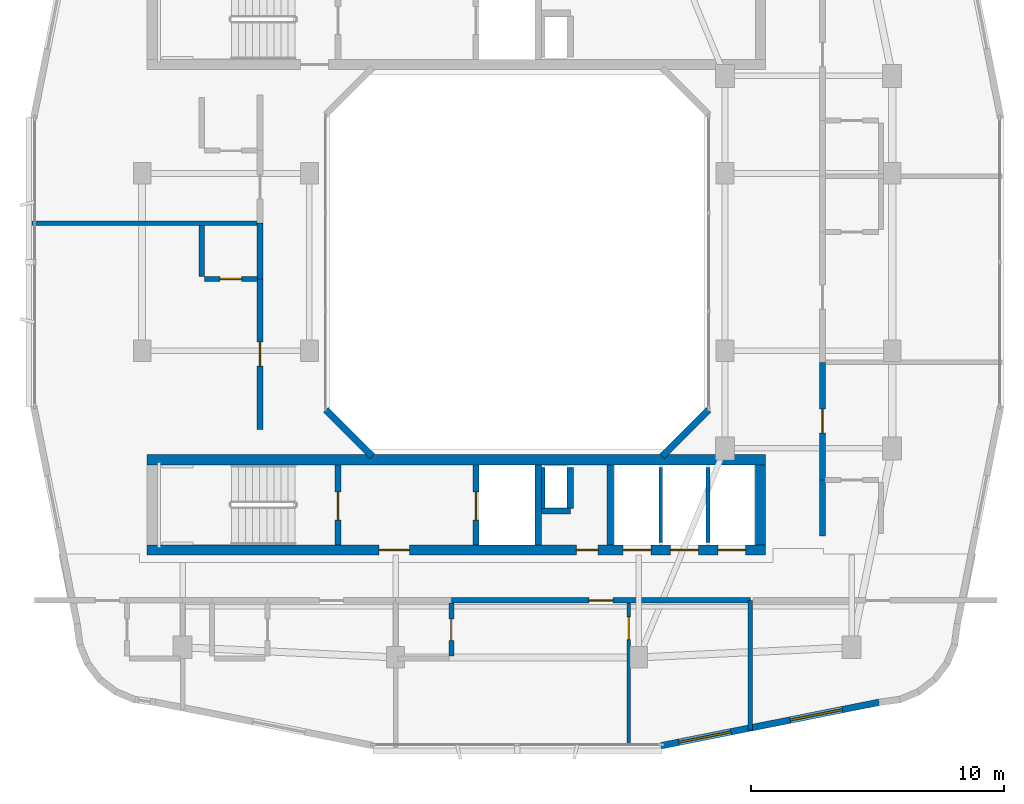
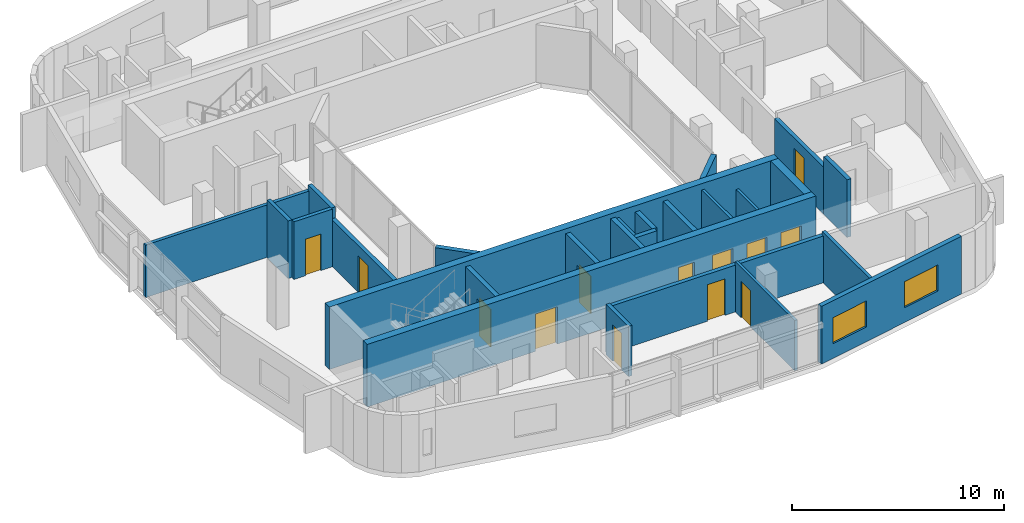
# One storey, part 7 of 14: 26 walls, 13 doors, 2 windows, 15 openings.
"""IFC4 building model written with IfcOpenShell, lengths in metres."""

from ifc_helpers import new_model, si_unit, derived_unit, direction, frame, frame_2d, origin, place, context, subcontext, project, spatial, rectangle, extrude, material, layer, layer_set, type_object, element, fill, save


model = new_model("IFC4")

# Units and contexts
model_context = context("Model", 3, precision=1e-05, world=origin(), true_north=direction((0.0, 1.0)))
body_context = subcontext(model_context, "Body", "Model", "MODEL_VIEW")
ifc_project = project(units=[si_unit("LENGTHUNIT", "METRE"), si_unit("AREAUNIT", "SQUARE_METRE"), si_unit("VOLUMEUNIT", "CUBIC_METRE"), si_unit("PLANEANGLEUNIT", "RADIAN"), si_unit("MASSUNIT", "GRAM", prefix="KILO"), derived_unit("THERMALTRANSMITTANCEUNIT", [(si_unit("POWERUNIT", "WATT"), 1), (si_unit("LENGTHUNIT", "METRE"), -2), (si_unit("THERMODYNAMICTEMPERATUREUNIT", "KELVIN"), -1)])], contexts=[model_context])

# Site, building, storey
site_placement = place(None, origin())
site = spatial("IfcSite", under=ifc_project, at=site_placement, CompositionType="ELEMENT")
building_placement = place(site_placement, origin())
building = spatial("IfcBuilding", under=site, at=building_placement, Name="Kivonza Crest Hotel", CompositionType="ELEMENT")
storey_placement = place(building_placement, frame((0.0, 0.0, 206.300048828125)))
storey = spatial("IfcBuildingStorey", under=building, at=storey_placement, Name="L56", CompositionType="ELEMENT", Elevation=206.300048828125)

# Walls
ifc_material_1 = material(Name="High-density acoustic masonry inter-tenancy wall", Category="masonry")
ifc_layer_1 = layer(ifc_material_1, 0.179931640625)
ifc_layer_set_1 = layer_set([ifc_layer_1], Name="High-density acoustic masonry inter-tenancy wall")
wall_type_1 = type_object("IfcWallType", Name="WL-ACOU-180", PredefinedType="SOLIDWALL", material=ifc_layer_set_1)
wall_1_placement = place(storey_placement, frame((30.199951171875, 6.5458984375, 0.0), z_axis=(0.0, 0.0, 1.0), x_axis=(0.0, 1.0, 0.0)))
element("IfcWall", 1, at=wall_1_placement, inside=storey, type_object=wall_type_1, Name="L56 interior partition WA-L56-T1S-DIV3", PredefinedType="SOLIDWALL", context=body_context, shape_type="SweptSolid", body=[
    extrude(rectangle(XDim=5.10400390625, YDim=0.179931640625, at=frame_2d((2.552001953125, 0.0))), origin(), (0.0, 0.0, 1.0), 2.89501953125),
])
wall_2_placement = place(storey_placement, frame((1.860107421875, 26.5400390625, 0.0), z_axis=(0.0, 0.0, 1.0), x_axis=(1.0, 0.0, 0.0)))
element("IfcWall", 2, at=wall_2_placement, inside=storey, type_object=wall_type_1, Name="L56 interior partition WA-L56-T1W-DIV1", PredefinedType="SOLIDWALL", context=body_context, shape_type="SweptSolid", body=[
    extrude(rectangle(XDim=8.989990234375, YDim=0.179931640625, at=frame_2d((4.4951171875, 0.0))), origin(), (0.0, 0.0, 1.0), 3.014892578125),
])

# Wall, opening, door
ifc_material_2 = material(Name="Autoclaved aerated concrete blockwork", Category="masonry")
ifc_layer_2 = layer(ifc_material_2, 0.219970703125)
ifc_layer_set_2 = layer_set([ifc_layer_2], Name="Autoclaved aerated concrete blockwork")
wall_type_2 = type_object("IfcWallType", Name="WL-ACOU-220", PredefinedType="SOLIDWALL", material=ifc_layer_set_2)
wall_3_placement = place(storey_placement, frame((18.39990234375, 11.64990234375, 0.0), z_axis=(0.0, 0.0, 1.0), x_axis=(1.0, 0.0, 0.0)))
wall_3 = element("IfcWall", 3, at=wall_3_placement, inside=storey, type_object=wall_type_2, Name="L56 interior partition WA-L56-S06-MCORR", PredefinedType="SOLIDWALL", context=body_context, shape_type="SweptSolid", body=[
    extrude(rectangle(XDim=11.800048828125, YDim=0.219970703125, at=frame_2d((5.89990234375, 0.0))), origin(), (0.0, 0.0, 1.0), 2.695068359375),
])
opening_1_placement = place(wall_3_placement, frame((5.425048828125, 0.0, 0.0)))
opening_1 = element("IfcOpeningElement", 4, at=opening_1_placement, cuts=wall_3, Name="Opening DU-60", PredefinedType="OPENING", context=body_context, shape_type="SweptSolid", body=[
    extrude(rectangle(XDim=0.949951171875, YDim=2.10009765625, at=frame_2d((0.47509765625, 1.050048828125))), frame((0.0, 0.1201171875, 0.0), z_axis=(0.0, -1.0, 0.0), x_axis=(1.0, 0.0, 0.0)), (0.0, 0.0, 1.0), 0.239990234375),
])
ifc_material_3 = material(Name="Hardwood timber oak", Category="wood")
door_type_1 = type_object("IfcDoorType", Name="DR-UNIT-950", OperationType="NOTDEFINED", PredefinedType="DOOR", material=ifc_material_3)
door_1_placement = place(opening_1_placement, frame((0.949951171875, 0.0, 0.0), z_axis=(0.0, 0.0, 1.0), x_axis=(-1.0, 0.0, 0.0)))
door_1 = element("IfcDoor", 5, at=door_1_placement, inside=storey, type_object=door_type_1, Name="L56 S06 guest unit entrance fire door", OperationType="SINGLE_SWING_RIGHT", OverallHeight=2.10009765625, OverallWidth=0.949951171875, PredefinedType="DOOR", context=body_context, shape_type="SweptSolid", body=[
    extrude(rectangle(XDim=0.949951171875, YDim=2.10009765625, at=frame_2d((0.47509765625, 1.050048828125))), frame((0.0, 0.02490234375, 0.0), z_axis=(0.0, -1.0, 0.0), x_axis=(1.0, 0.0, 0.0)), (0.0, 0.0, 1.0), 0.050048828125),
])
fill(opening_1, door_1)

# Wall
wall_4_placement = place(storey_placement, frame((10.85009765625, 24.340087890625, 0.0), z_axis=(0.0, 0.0, 1.0), x_axis=(0.0, 1.0, 0.0)))
element("IfcWall", 6, at=wall_4_placement, inside=storey, type_object=wall_type_2, Name="L56 interior partition WA-L56-W07-BCORR", PredefinedType="SOLIDWALL", context=body_context, shape_type="SweptSolid", body=[
    extrude(rectangle(XDim=2.199951171875, YDim=0.219970703125, at=frame_2d((1.10009765625, 0.0))), origin(), (0.0, 0.0, 1.0), 3.320068359375),
])

# Wall, opening, door
wall_5_placement = place(storey_placement, frame((10.85009765625, 18.39990234375, 0.0), z_axis=(0.0, 0.0, 1.0), x_axis=(0.0, 1.0, 0.0)))
wall_5 = element("IfcWall", 7, at=wall_5_placement, inside=storey, type_object=wall_type_2, Name="L56 interior partition WA-L56-W07-MCORR", PredefinedType="SOLIDWALL", context=body_context, shape_type="SweptSolid", body=[
    extrude(rectangle(XDim=5.940185546875, YDim=0.219970703125, at=frame_2d((2.97021484375, 0.0))), origin(), (0.0, 0.0, 1.0), 2.695068359375),
])
opening_2_placement = place(wall_5_placement, frame((2.4951171875, 0.0, 0.0)))
opening_2 = element("IfcOpeningElement", 8, at=opening_2_placement, cuts=wall_5, Name="Opening DU-60", PredefinedType="OPENING", context=body_context, shape_type="SweptSolid", body=[
    extrude(rectangle(XDim=0.949951171875, YDim=2.10009765625, at=frame_2d((0.47509765625, 1.050048828125))), frame((0.0, 0.1201171875, 0.0), z_axis=(0.0, -1.0, 0.0), x_axis=(1.0, 0.0, 0.0)), (0.0, 0.0, 1.0), 0.239990234375),
])
door_2_placement = place(opening_2_placement, origin())
door_2 = element("IfcDoor", 9, at=door_2_placement, inside=storey, type_object=door_type_1, Name="L56 W07 guest unit entrance fire door", OperationType="SINGLE_SWING_LEFT", OverallHeight=2.10009765625, OverallWidth=0.949951171875, PredefinedType="DOOR", context=body_context, shape_type="SweptSolid", body=[
    extrude(rectangle(XDim=0.949951171875, YDim=2.10009765625, at=frame_2d((0.47509765625, 1.050048828125))), frame((0.0, 0.02490234375, 0.0), z_axis=(0.0, -1.0, 0.0), x_axis=(1.0, 0.0, 0.0)), (0.0, 0.0, 1.0), 0.050048828125),
])
fill(opening_2, door_2)

# Wall
wall_6_placement = place(storey_placement, frame((33.050048828125, 14.199951171875, 0.0), z_axis=(0.0, 0.0, 1.0), x_axis=(0.0, 1.0, 0.0)))
element("IfcWall", 10, at=wall_6_placement, inside=storey, type_object=wall_type_2, Name="L56 interior partition WA-L56-E09-BCORR", PredefinedType="SOLIDWALL", context=body_context, shape_type="SweptSolid", body=[
    extrude(rectangle(XDim=2.199951171875, YDim=0.219970703125, at=frame_2d((1.10009765625, 0.0))), origin(), (0.0, 0.0, 1.0), 3.320068359375),
])

# Wall, opening, door
wall_7_placement = place(storey_placement, frame((33.050048828125, 16.39990234375, 0.0), z_axis=(0.0, 0.0, 1.0), x_axis=(0.0, 1.0, 0.0)))
wall_7 = element("IfcWall", 11, at=wall_7_placement, inside=storey, type_object=wall_type_2, Name="L56 interior partition WA-L56-E09-MCORR", PredefinedType="SOLIDWALL", context=body_context, shape_type="SweptSolid", body=[
    extrude(rectangle(XDim=4.649169921875, YDim=0.219970703125, at=frame_2d((2.32470703125, 0.0))), origin(), (0.0, 0.0, 1.0), 2.695068359375),
])
opening_3_placement = place(wall_7_placement, frame((1.85009765625, 0.0, 0.0)))
opening_3 = element("IfcOpeningElement", 12, at=opening_3_placement, cuts=wall_7, Name="Opening DU-60", PredefinedType="OPENING", context=body_context, shape_type="SweptSolid", body=[
    extrude(rectangle(XDim=0.949951171875, YDim=2.10009765625, at=frame_2d((0.47509765625, 1.050048828125))), frame((0.0, 0.1201171875, 0.0), z_axis=(0.0, -1.0, 0.0), x_axis=(1.0, 0.0, 0.0)), (0.0, 0.0, 1.0), 0.239990234375),
])
door_3_placement = place(opening_3_placement, frame((0.949951171875, 0.0, 0.0), z_axis=(0.0, 0.0, 1.0), x_axis=(-1.0, 0.0, 0.0)))
door_3 = element("IfcDoor", 13, at=door_3_placement, inside=storey, type_object=door_type_1, Name="L56 E09 guest unit entrance fire door", OperationType="SINGLE_SWING_LEFT", OverallHeight=2.10009765625, OverallWidth=0.949951171875, PredefinedType="DOOR", context=body_context, shape_type="SweptSolid", body=[
    extrude(rectangle(XDim=0.949951171875, YDim=2.10009765625, at=frame_2d((0.47509765625, 1.050048828125))), frame((0.0, 0.02490234375, 0.0), z_axis=(0.0, -1.0, 0.0), x_axis=(1.0, 0.0, 0.0)), (0.0, 0.0, 1.0), 0.050048828125),
])
fill(opening_3, door_3)

# Wall, openings, doors
ifc_material_4 = material(Name="Concrete C50/60", Category="concrete")
ifc_layer_3 = layer(ifc_material_4, 0.39990234375)
ifc_layer_set_3 = layer_set([ifc_layer_3], Name="Concrete C50/60")
wall_type_3 = type_object("IfcWallType", Name="WL-CORE-400", PredefinedType="SHEAR", material=ifc_layer_set_3)
wall_8_placement = place(storey_placement, frame((6.39990234375, 13.639892578125, 0.0), z_axis=(0.0, 0.0, 1.0), x_axis=(1.0, 0.0, 0.0)))
wall_8 = element("IfcWall", 14, at=wall_8_placement, inside=storey, type_object=wall_type_3, Name="Core wall T1-S South L56", PredefinedType="SHEAR", context=body_context, shape_type="SweptSolid", body=[
    extrude(rectangle(XDim=24.400146484375, YDim=0.39990234375, at=frame_2d((12.2001953125, 0.0))), origin(), (0.0, 0.0, 1.0), 3.599853515625),
])
opening_4_placement = place(wall_8_placement, frame((9.14990234375, 0.0, 0.0)))
opening_4 = element("IfcOpeningElement", 15, at=opening_4_placement, cuts=wall_8, Name="Opening DF-60", PredefinedType="OPENING", context=body_context, shape_type="SweptSolid", body=[
    extrude(rectangle(XDim=1.199951171875, YDim=2.14990234375, at=frame_2d((0.60009765625, 1.074951171875))), frame((0.0, 0.2099609375, 0.0), z_axis=(0.0, -1.0, 0.0), x_axis=(1.0, 0.0, 0.0)), (0.0, 0.0, 1.0), 0.419921875),
])
opening_5_placement = place(wall_8_placement, frame((16.93994140625, 0.0, 0.0)))
opening_5 = element("IfcOpeningElement", 16, at=opening_5_placement, cuts=wall_8, Name="Opening DF-60R", PredefinedType="OPENING", context=body_context, shape_type="SweptSolid", body=[
    extrude(rectangle(XDim=0.85009765625, YDim=2.10009765625, at=frame_2d((0.425048828125, 1.050048828125))), frame((0.0, 0.2099609375, 0.0), z_axis=(0.0, -1.0, 0.0), x_axis=(1.0, 0.0, 0.0)), (0.0, 0.0, 1.0), 0.419921875),
])
opening_6_placement = place(wall_8_placement, frame((18.782958984375, 0.0, 0.0)))
opening_6 = element("IfcOpeningElement", 17, at=opening_6_placement, cuts=wall_8, Name="Opening LD-120", PredefinedType="OPENING", context=body_context, shape_type="SweptSolid", body=[
    extrude(rectangle(XDim=1.10009765625, YDim=2.14990234375, at=frame_2d((0.550048828125, 1.074951171875))), frame((0.0, 0.2099609375, 0.0), z_axis=(0.0, -1.0, 0.0), x_axis=(1.0, 0.0, 0.0)), (0.0, 0.0, 1.0), 0.419921875),
])
opening_7_placement = place(wall_8_placement, frame((20.64990234375, 0.0, 0.0)))
opening_7 = element("IfcOpeningElement", 18, at=opening_7_placement, cuts=wall_8, Name="Opening LD-120", PredefinedType="OPENING", context=body_context, shape_type="SweptSolid", body=[
    extrude(rectangle(XDim=1.10009765625, YDim=2.14990234375, at=frame_2d((0.550048828125, 1.074951171875))), frame((0.0, 0.2099609375, 0.0), z_axis=(0.0, -1.0, 0.0), x_axis=(1.0, 0.0, 0.0)), (0.0, 0.0, 1.0), 0.419921875),
])
opening_8_placement = place(wall_8_placement, frame((22.51708984375, 0.0, 0.0)))
opening_8 = element("IfcOpeningElement", 19, at=opening_8_placement, cuts=wall_8, Name="Opening LD-120", PredefinedType="OPENING", context=body_context, shape_type="SweptSolid", body=[
    extrude(rectangle(XDim=1.10009765625, YDim=2.14990234375, at=frame_2d((0.550048828125, 1.074951171875))), frame((0.0, 0.2099609375, 0.0), z_axis=(0.0, -1.0, 0.0), x_axis=(1.0, 0.0, 0.0)), (0.0, 0.0, 1.0), 0.419921875),
])
door_type_2 = type_object("IfcDoorType", Name="DR-FD60-1200", OperationType="NOTDEFINED", PredefinedType="DOOR", material=ifc_material_3)
door_4_placement = place(opening_4_placement, frame((1.199951171875, 0.0, 0.0), z_axis=(0.0, 0.0, 1.0), x_axis=(-1.0, 0.0, 0.0)))
door_4 = element("IfcDoor", 20, at=door_4_placement, inside=storey, type_object=door_type_2, Name="L56 T1-S firefighting lobby fire door", OperationType="SINGLE_SWING_LEFT", OverallHeight=2.14990234375, OverallWidth=1.199951171875, PredefinedType="DOOR", context=body_context, shape_type="SweptSolid", body=[
    extrude(rectangle(XDim=1.199951171875, YDim=2.14990234375, at=frame_2d((0.60009765625, 1.074951171875))), frame((0.0, 0.02490234375, 0.0), z_axis=(0.0, -1.0, 0.0), x_axis=(1.0, 0.0, 0.0)), (0.0, 0.0, 1.0), 0.050048828125),
])
fill(opening_4, door_4)
door_type_3 = type_object("IfcDoorType", Name="DR-FD60-850", OperationType="NOTDEFINED", PredefinedType="DOOR", material=ifc_material_3)
door_5_placement = place(opening_5_placement, frame((0.85009765625, 0.0, 0.0), z_axis=(0.0, 0.0, 1.0), x_axis=(-1.0, 0.0, 0.0)))
door_5 = element("IfcDoor", 21, at=door_5_placement, inside=storey, type_object=door_type_3, Name="L56 T1-S core room door", OperationType="SINGLE_SWING_RIGHT", OverallHeight=2.10009765625, OverallWidth=0.85009765625, PredefinedType="DOOR", context=body_context, shape_type="SweptSolid", body=[
    extrude(rectangle(XDim=0.85009765625, YDim=2.10009765625, at=frame_2d((0.425048828125, 1.050048828125))), frame((0.0, 0.02490234375, 0.0), z_axis=(0.0, -1.0, 0.0), x_axis=(1.0, 0.0, 0.0)), (0.0, 0.0, 1.0), 0.050048828125),
])
fill(opening_5, door_5)
ifc_material_5 = material(Name="Stainless steel", Category="steel")
door_type_4 = type_object("IfcDoorType", Name="DR-LD120-1100", OperationType="NOTDEFINED", PredefinedType="DOOR", material=ifc_material_5)
door_6_placement = place(opening_6_placement, frame((1.10009765625, 0.0, 0.0), z_axis=(0.0, 0.0, 1.0), x_axis=(-1.0, 0.0, 0.0)))
door_6 = element("IfcDoor", 22, at=door_6_placement, inside=storey, type_object=door_type_4, Name="L56 PL-T1-H1 passenger lift sliding landing door", OperationType="DOUBLE_DOOR_SLIDING", OverallHeight=2.14990234375, OverallWidth=1.10009765625, PredefinedType="DOOR", context=body_context, shape_type="SweptSolid", body=[
    extrude(rectangle(XDim=1.10009765625, YDim=2.14990234375, at=frame_2d((0.550048828125, 1.074951171875))), frame((0.0, 0.02490234375, 0.0), z_axis=(0.0, -1.0, 0.0), x_axis=(1.0, 0.0, 0.0)), (0.0, 0.0, 1.0), 0.050048828125),
])
fill(opening_6, door_6)
door_7_placement = place(opening_7_placement, frame((1.10009765625, 0.0, 0.0), z_axis=(0.0, 0.0, 1.0), x_axis=(-1.0, 0.0, 0.0)))
door_7 = element("IfcDoor", 23, at=door_7_placement, inside=storey, type_object=door_type_4, Name="L56 PL-T1-H2 passenger lift sliding landing door", OperationType="DOUBLE_DOOR_SLIDING", OverallHeight=2.14990234375, OverallWidth=1.10009765625, PredefinedType="DOOR", context=body_context, shape_type="SweptSolid", body=[
    extrude(rectangle(XDim=1.10009765625, YDim=2.14990234375, at=frame_2d((0.550048828125, 1.074951171875))), frame((0.0, 0.02490234375, 0.0), z_axis=(0.0, -1.0, 0.0), x_axis=(1.0, 0.0, 0.0)), (0.0, 0.0, 1.0), 0.050048828125),
])
fill(opening_7, door_7)
door_8_placement = place(opening_8_placement, frame((1.10009765625, 0.0, 0.0), z_axis=(0.0, 0.0, 1.0), x_axis=(-1.0, 0.0, 0.0)))
door_8 = element("IfcDoor", 24, at=door_8_placement, inside=storey, type_object=door_type_4, Name="L56 PL-T1-H3 passenger lift sliding landing door", OperationType="DOUBLE_DOOR_SLIDING", OverallHeight=2.14990234375, OverallWidth=1.10009765625, PredefinedType="DOOR", context=body_context, shape_type="SweptSolid", body=[
    extrude(rectangle(XDim=1.10009765625, YDim=2.14990234375, at=frame_2d((0.550048828125, 1.074951171875))), frame((0.0, 0.02490234375, 0.0), z_axis=(0.0, -1.0, 0.0), x_axis=(1.0, 0.0, 0.0)), (0.0, 0.0, 1.0), 0.050048828125),
])
fill(opening_8, door_8)

# Walls
wall_9_placement = place(storey_placement, frame((6.39990234375, 17.199951171875, 0.0), z_axis=(0.0, 0.0, 1.0), x_axis=(1.0, 0.0, 0.0)))
element("IfcWall", 25, at=wall_9_placement, inside=storey, type_object=wall_type_3, Name="Core wall T1-S North L56", PredefinedType="SHEAR", context=body_context, shape_type="SweptSolid", body=[
    extrude(rectangle(XDim=24.400146484375, YDim=0.39990234375, at=frame_2d((12.2001953125, 0.0))), origin(), (0.0, 0.0, 1.0), 3.599853515625),
])
wall_10_placement = place(storey_placement, frame((30.60009765625, 13.840087890625, 0.0), z_axis=(0.0, 0.0, 1.0), x_axis=(0.0, 1.0, 0.0)))
element("IfcWall", 26, at=wall_10_placement, inside=storey, type_object=wall_type_3, Name="Core wall T1-S East L56", PredefinedType="SHEAR", context=body_context, shape_type="SweptSolid", body=[
    extrude(rectangle(XDim=3.159912109375, YDim=0.39990234375, at=frame_2d((1.580078125, 0.0))), origin(), (0.0, 0.0, 1.0), 3.599853515625),
])

# Wall, openings, windows
ifc_material_6 = material(Name="Precast concrete C40/50", Category="concrete")
ifc_layer_4 = layer(ifc_material_6, 0.260009765625)
ifc_layer_set_4 = layer_set([ifc_layer_4], Name="Precast concrete C40/50")
wall_type_4 = type_object("IfcWallType", Name="WL-EXT-260", PredefinedType="STANDARD", material=ifc_layer_set_4)
wall_11_placement = place(storey_placement, frame((26.680908203125, 5.916015625, 0.0), z_axis=(0.0, 0.0, 1.0), x_axis=(0.980745199176, 0.195291715883, 0.0)))
wall_11 = element("IfcWall", 27, at=wall_11_placement, inside=storey, type_object=wall_type_4, Name="L56 T1 exterior insulated wall 9", PredefinedType="STANDARD", context=body_context, shape_type="SweptSolid", body=[
    extrude(rectangle(XDim=8.77099609375, YDim=0.260009765625, at=frame_2d((4.385498046875, 0.0))), origin(), (0.0, 0.0, 1.0), 3.320068359375),
])
opening_9_placement = place(wall_11_placement, frame((0.70703125, 0.0, 0.85009765625)))
opening_9 = element("IfcOpeningElement", 28, at=opening_9_placement, cuts=wall_11, Name="Opening WN-04", PredefinedType="OPENING", context=body_context, shape_type="SweptSolid", body=[
    extrude(rectangle(XDim=2.10009765625, YDim=1.5, at=frame_2d((1.050048828125, 0.75))), frame((0.0, 0.14013671875, 0.0), z_axis=(0.0, -1.0, 0.0), x_axis=(1.0, 0.0, 0.0)), (0.0, 0.0, 1.0), 0.280029296875),
])
opening_10_placement = place(wall_11_placement, frame((5.19091796875, 0.0, 0.85009765625)))
opening_10 = element("IfcOpeningElement", 29, at=opening_10_placement, cuts=wall_11, Name="Opening WN-04", PredefinedType="OPENING", context=body_context, shape_type="SweptSolid", body=[
    extrude(rectangle(XDim=2.10009765625, YDim=1.5, at=frame_2d((1.050048828125, 0.75))), frame((0.0, 0.14013671875, 0.0), z_axis=(0.0, -1.0, 0.0), x_axis=(1.0, 0.0, 0.0)), (0.0, 0.0, 1.0), 0.280029296875),
])
ifc_material_7 = material(Name="Thermally broken bronze aluminium and low-E double glazing", Category="aluminium")
window_type = type_object("IfcWindowType", Name="WN-210x150", PartitioningType="DOUBLE_PANEL_VERTICAL", PredefinedType="WINDOW", material=ifc_material_7)
window_1_placement = place(opening_9_placement, origin())
window_1 = element("IfcWindow", 30, at=window_1_placement, inside=storey, type_object=window_type, Name="L56 T1 facade window 9 bay 1", OverallHeight=1.5, OverallWidth=2.10009765625, PartitioningType="SINGLE_PANEL", PredefinedType="WINDOW", context=body_context, shape_type="SweptSolid", body=[
    extrude(rectangle(XDim=2.10009765625, YDim=1.5, at=frame_2d((1.050048828125, 0.75))), frame((0.0, 0.030029296875, 0.0), z_axis=(0.0, -1.0, 0.0), x_axis=(1.0, 0.0, 0.0)), (0.0, 0.0, 1.0), 0.06005859375),
])
fill(opening_9, window_1)
window_2_placement = place(opening_10_placement, origin())
window_2 = element("IfcWindow", 31, at=window_2_placement, inside=storey, type_object=window_type, Name="L56 T1 facade window 9 bay 2", OverallHeight=1.5, OverallWidth=2.10009765625, PartitioningType="SINGLE_PANEL", PredefinedType="WINDOW", context=body_context, shape_type="SweptSolid", body=[
    extrude(rectangle(XDim=2.10009765625, YDim=1.5, at=frame_2d((1.050048828125, 0.75))), frame((0.0, 0.030029296875, 0.0), z_axis=(0.0, -1.0, 0.0), x_axis=(1.0, 0.0, 0.0)), (0.0, 0.0, 1.0), 0.06005859375),
])
fill(opening_10, window_2)

# Walls
for number, where, z_axis, x_axis, name in (
    (32, (26.721923828125, 17.337890625, 0.0), (0.0, 0.0, 1.0), (0.707059717605, 0.707153841636, 0.0), "L56 T1 light-well exterior wall 2"),
    (33, (13.444091796875, 19.172119140625, 0.0), (0.0, 0.0, 1.0), (0.707059717605, -0.707153841636, 0.0), "L56 T1 light-well exterior wall 8"),
):
    element("IfcWall", number, at=place(storey_placement, frame(where, z_axis=z_axis, x_axis=x_axis)), inside=storey, type_object=wall_type_4, Name=name, PredefinedType="STANDARD", context=body_context, shape_type="SweptSolid", body=[
        extrude(rectangle(XDim=2.59375, YDim=0.260009765625, at=frame_2d((1.296875, 0.0))), origin(), (0.0, 0.0, 1.0), 3.320068359375),
    ])
ifc_material_8 = material(Name="Concrete blockwork fire-compartment wall", Category="masonry")
ifc_layer_5 = layer(ifc_material_8, 0.25)
ifc_layer_set_5 = layer_set([ifc_layer_5], Name="Concrete blockwork fire-compartment wall")
wall_type_5 = type_object("IfcWallType", Name="WL-FIRE-250", PredefinedType="SOLIDWALL", material=ifc_layer_set_5)
wall_12_placement = place(storey_placement, frame((23.10009765625, 15.280029296875, 0.0), z_axis=(0.0, 0.0, 1.0), x_axis=(0.0, 1.0, 0.0)))
element("IfcWall", 34, at=wall_12_placement, inside=storey, type_object=wall_type_5, Name="L56 interior partition WA-L56-T1-S-MEPR-E", PredefinedType="SOLIDWALL", context=body_context, shape_type="SweptSolid", body=[
    extrude(rectangle(XDim=1.619873046875, YDim=0.25, at=frame_2d((0.81005859375, 0.0))), origin(), (0.0, 0.0, 1.0), 3.320068359375),
])
wall_13_placement = place(storey_placement, frame((21.949951171875, 15.179931640625, 0.0), z_axis=(0.0, 0.0, 1.0), x_axis=(1.0, 0.0, 0.0)))
element("IfcWall", 35, at=wall_13_placement, inside=storey, type_object=wall_type_5, Name="L56 interior partition WA-L56-T1-S-MEPR-H", PredefinedType="SOLIDWALL", context=body_context, shape_type="SweptSolid", body=[
    extrude(rectangle(XDim=1.150146484375, YDim=0.25, at=frame_2d((0.5751953125, 0.0))), origin(), (0.0, 0.0, 1.0), 3.320068359375),
])
ifc_material_9 = material(Name="Twin-stud acoustic gypsum board partition", Category="gypsum")
ifc_layer_6 = layer(ifc_material_9, 0.14990234375)
ifc_layer_set_6 = layer_set([ifc_layer_6], Name="Twin-stud acoustic gypsum board partition")
wall_type_6 = type_object("IfcWallType", Name="WL-PART-150", PredefinedType="PARTITIONING", material=ifc_layer_set_6)
wall_14_placement = place(storey_placement, frame((22.030029296875, 15.280029296875, 0.0), z_axis=(0.0, 0.0, 1.0), x_axis=(0.0, 1.0, 0.0)))
element("IfcWall", 36, at=wall_14_placement, inside=storey, type_object=wall_type_6, Name="L56 interior partition WA-L56-T1-S-MEPR-W", PredefinedType="PARTITIONING", context=body_context, shape_type="SweptSolid", body=[
    extrude(rectangle(XDim=1.619873046875, YDim=0.14990234375, at=frame_2d((0.81005859375, 0.0))), origin(), (0.0, 0.0, 1.0), 3.320068359375),
])
wall_15_placement = place(storey_placement, frame((26.6669921875, 13.93994140625, 0.0), z_axis=(0.0, 0.0, 1.0), x_axis=(0.0, 1.0, 0.0)))
element("IfcWall", 37, at=wall_15_placement, inside=storey, type_object=wall_type_6, Name="L56 interior partition WP-L56-T1-S-BSH-1", PredefinedType="PARTITIONING", context=body_context, shape_type="SweptSolid", body=[
    extrude(rectangle(XDim=2.9599609375, YDim=0.14990234375, at=frame_2d((1.47998046875, 0.0))), origin(), (0.0, 0.0, 1.0), 3.320068359375),
])
wall_16_placement = place(storey_placement, frame((28.532958984375, 13.93994140625, 0.0), z_axis=(0.0, 0.0, 1.0), x_axis=(0.0, 1.0, 0.0)))
element("IfcWall", 38, at=wall_16_placement, inside=storey, type_object=wall_type_6, Name="L56 interior partition WP-L56-T1-S-BSH-2", PredefinedType="PARTITIONING", context=body_context, shape_type="SweptSolid", body=[
    extrude(rectangle(XDim=2.9599609375, YDim=0.14990234375, at=frame_2d((1.47998046875, 0.0))), origin(), (0.0, 0.0, 1.0), 2.695068359375),
])

# Wall, opening, door
wall_17_placement = place(storey_placement, frame((25.39990234375, 5.9599609375, 0.0), z_axis=(0.0, 0.0, 1.0), x_axis=(0.0, 1.0, 0.0)))
wall_17 = element("IfcWall", 39, at=wall_17_placement, inside=storey, type_object=wall_type_6, Name="L56 interior partition WP-L56-S06-SPSP", PredefinedType="PARTITIONING", context=body_context, shape_type="SweptSolid", body=[
    extrude(rectangle(XDim=5.590087890625, YDim=0.14990234375, at=frame_2d((2.794921875, 0.0))), origin(), (0.0, 0.0, 1.0), 2.89501953125),
])
opening_11_placement = place(wall_17_placement, frame((4.139892578125, 0.0, 0.0)))
opening_11 = element("IfcOpeningElement", 40, at=opening_11_placement, cuts=wall_17, Name="Opening DI-90", PredefinedType="OPENING", context=body_context, shape_type="SweptSolid", body=[
    extrude(rectangle(XDim=0.89990234375, YDim=2.10009765625, at=frame_2d((0.449951171875, 1.050048828125))), frame((0.0, 0.0849609375, 0.0), z_axis=(0.0, -1.0, 0.0), x_axis=(1.0, 0.0, 0.0)), (0.0, 0.0, 1.0), 0.169921875),
])
door_type_5 = type_object("IfcDoorType", Name="DR-INT-900", OperationType="NOTDEFINED", PredefinedType="DOOR", material=ifc_material_3)
door_9_placement = place(opening_11_placement, origin())
door_9 = element("IfcDoor", 41, at=door_9_placement, inside=storey, type_object=door_type_5, Name="L56 S06 suite bedroom door", OperationType="SINGLE_SWING_LEFT", OverallHeight=2.10009765625, OverallWidth=0.89990234375, PredefinedType="DOOR", context=body_context, shape_type="SweptSolid", body=[
    extrude(rectangle(XDim=0.89990234375, YDim=2.10009765625, at=frame_2d((0.449951171875, 1.050048828125))), frame((0.0, 0.02490234375, 0.0), z_axis=(0.0, -1.0, 0.0), x_axis=(1.0, 0.0, 0.0)), (0.0, 0.0, 1.0), 0.050048828125),
])
fill(opening_11, door_9)

ifc_material_10 = material(Name="Moisture-resistant plumbing chase partition wall", Category="gypsum")
ifc_layer_7 = layer(ifc_material_10, 0.199951171875)
ifc_layer_set_7 = layer_set([ifc_layer_7], Name="Moisture-resistant plumbing chase partition wall")
wall_type_7 = type_object("IfcWallType", Name="WL-PLUMB-200", PredefinedType="PLUMBINGWALL", material=ifc_layer_set_7)
wall_18_placement = place(storey_placement, frame((18.39990234375, 9.449951171875, 0.0), z_axis=(0.0, 0.0, 1.0), x_axis=(0.0, 1.0, 0.0)))
wall_18 = element("IfcWall", 42, at=wall_18_placement, inside=storey, type_object=wall_type_7, Name="L56 interior partition WW-L56-S06-BV", PredefinedType="PLUMBINGWALL", context=body_context, shape_type="SweptSolid", body=[
    extrude(rectangle(XDim=2.10009765625, YDim=0.199951171875, at=frame_2d((1.050048828125, 0.0))), origin(), (0.0, 0.0, 1.0), 2.89501953125),
])
opening_12_placement = place(wall_18_placement, frame((0.625, 0.0, 0.0)))
opening_12 = element("IfcOpeningElement", 43, at=opening_12_placement, cuts=wall_18, Name="Opening DI-85", PredefinedType="OPENING", context=body_context, shape_type="SweptSolid", body=[
    extrude(rectangle(XDim=0.85009765625, YDim=2.10009765625, at=frame_2d((0.425048828125, 1.050048828125))), frame((0.0, 0.10986328125, 0.0), z_axis=(0.0, -1.0, 0.0), x_axis=(1.0, 0.0, 0.0)), (0.0, 0.0, 1.0), 0.219970703125),
])
door_type_6 = type_object("IfcDoorType", Name="DR-INT-850", OperationType="NOTDEFINED", PredefinedType="DOOR", material=ifc_material_3)
door_10_placement = place(opening_12_placement, frame((0.85009765625, 0.0, 0.0), z_axis=(0.0, 0.0, 1.0), x_axis=(-1.0, 0.0, 0.0)))
door_10 = element("IfcDoor", 44, at=door_10_placement, inside=storey, type_object=door_type_6, Name="L56 S06 en-suite bathroom door", OperationType="SINGLE_SWING_LEFT", OverallHeight=2.10009765625, OverallWidth=0.85009765625, PredefinedType="DOOR", context=body_context, shape_type="SweptSolid", body=[
    extrude(rectangle(XDim=0.85009765625, YDim=2.10009765625, at=frame_2d((0.425048828125, 1.050048828125))), frame((0.0, 0.02490234375, 0.0), z_axis=(0.0, -1.0, 0.0), x_axis=(1.0, 0.0, 0.0)), (0.0, 0.0, 1.0), 0.050048828125),
])
fill(opening_12, door_10)

wall_19_placement = place(storey_placement, frame((8.64990234375, 24.340087890625, 0.0), z_axis=(0.0, 0.0, 1.0), x_axis=(1.0, 0.0, 0.0)))
wall_19 = element("IfcWall", 45, at=wall_19_placement, inside=storey, type_object=wall_type_7, Name="L56 interior partition WW-L56-W07-BH", PredefinedType="PLUMBINGWALL", context=body_context, shape_type="SweptSolid", body=[
    extrude(rectangle(XDim=2.10009765625, YDim=0.199951171875, at=frame_2d((1.050048828125, 0.0))), origin(), (0.0, 0.0, 1.0), 3.320068359375),
])
opening_13_placement = place(wall_19_placement, frame((0.625, 0.0, 0.0)))
opening_13 = element("IfcOpeningElement", 46, at=opening_13_placement, cuts=wall_19, Name="Opening DI-85", PredefinedType="OPENING", context=body_context, shape_type="SweptSolid", body=[
    extrude(rectangle(XDim=0.85009765625, YDim=2.10009765625, at=frame_2d((0.425048828125, 1.050048828125))), frame((0.0, 0.10986328125, 0.0), z_axis=(0.0, -1.0, 0.0), x_axis=(1.0, 0.0, 0.0)), (0.0, 0.0, 1.0), 0.219970703125),
])
door_11_placement = place(opening_13_placement, frame((0.85009765625, 0.0, 0.0), z_axis=(0.0, 0.0, 1.0), x_axis=(-1.0, 0.0, 0.0)))
door_11 = element("IfcDoor", 47, at=door_11_placement, inside=storey, type_object=door_type_6, Name="L56 W07 en-suite bathroom door", OperationType="SINGLE_SWING_RIGHT", OverallHeight=2.10009765625, OverallWidth=0.85009765625, PredefinedType="DOOR", context=body_context, shape_type="SweptSolid", body=[
    extrude(rectangle(XDim=0.85009765625, YDim=2.10009765625, at=frame_2d((0.425048828125, 1.050048828125))), frame((0.0, 0.02490234375, 0.0), z_axis=(0.0, -1.0, 0.0), x_axis=(1.0, 0.0, 0.0)), (0.0, 0.0, 1.0), 0.050048828125),
])
fill(opening_13, door_11)

# Wall
wall_20_placement = place(storey_placement, frame((8.550048828125, 24.43994140625, 0.0), z_axis=(0.0, 0.0, 1.0), x_axis=(0.0, 1.0, 0.0)))
element("IfcWall", 48, at=wall_20_placement, inside=storey, type_object=wall_type_7, Name="L56 interior partition WW-L56-W07-BV", PredefinedType="PLUMBINGWALL", context=body_context, shape_type="SweptSolid", body=[
    extrude(rectangle(XDim=2.0, YDim=0.199951171875, at=frame_2d((1.0, 0.0))), origin(), (0.0, 0.0, 1.0), 3.320068359375),
])

# Wall, opening, door
ifc_layer_8 = layer(ifc_material_4, 0.25)
ifc_layer_set_8 = layer_set([ifc_layer_8], Name="Concrete C50/60")
wall_type_8 = type_object("IfcWallType", Name="WL-SHAFT-250", PredefinedType="STANDARD", material=ifc_layer_set_8)
wall_21_placement = place(storey_placement, frame((13.925048828125, 13.840087890625, 0.0), z_axis=(0.0, 0.0, 1.0), x_axis=(0.0, 1.0, 0.0)))
wall_21 = element("IfcWall", 49, at=wall_21_placement, inside=storey, type_object=wall_type_8, Name="Core shaft wall T1-S STAIR L56", PredefinedType="STANDARD", context=body_context, shape_type="SweptSolid", body=[
    extrude(rectangle(XDim=3.159912109375, YDim=0.25, at=frame_2d((1.580078125, 0.0))), origin(), (0.0, 0.0, 1.0), 3.320068359375),
])
opening_14_placement = place(wall_21_placement, frame((0.97998046875, 0.0, 0.0)))
opening_14 = element("IfcOpeningElement", 50, at=opening_14_placement, cuts=wall_21, Name="Opening DF-120", PredefinedType="OPENING", context=body_context, shape_type="SweptSolid", body=[
    extrude(rectangle(XDim=1.10009765625, YDim=2.14990234375, at=frame_2d((0.550048828125, 1.074951171875))), frame((0.0, 0.135009765625, 0.0), z_axis=(0.0, -1.0, 0.0), x_axis=(1.0, 0.0, 0.0)), (0.0, 0.0, 1.0), 0.27001953125),
])
ifc_material_11 = material(Name="Galvanised steel", Category="steel")
door_type_7 = type_object("IfcDoorType", Name="DR-FD120-1100", OperationType="NOTDEFINED", PredefinedType="DOOR", material=ifc_material_11)
door_12_placement = place(opening_14_placement, frame((1.10009765625, 0.0, 0.0), z_axis=(0.0, 0.0, 1.0), x_axis=(-1.0, 0.0, 0.0)))
door_12 = element("IfcDoor", 51, at=door_12_placement, inside=storey, type_object=door_type_7, Name="L56 T1-S stair fire door", OperationType="SINGLE_SWING_RIGHT", OverallHeight=2.14990234375, OverallWidth=1.10009765625, PredefinedType="DOOR", context=body_context, shape_type="SweptSolid", body=[
    extrude(rectangle(XDim=1.10009765625, YDim=2.14990234375, at=frame_2d((0.550048828125, 1.074951171875))), frame((0.0, 0.02490234375, 0.0), z_axis=(0.0, -1.0, 0.0), x_axis=(1.0, 0.0, 0.0)), (0.0, 0.0, 1.0), 0.050048828125),
])
fill(opening_14, door_12)

wall_22_placement = place(storey_placement, frame((19.375, 13.840087890625, 0.0), z_axis=(0.0, 0.0, 1.0), x_axis=(0.0, 1.0, 0.0)))
wall_22 = element("IfcWall", 52, at=wall_22_placement, inside=storey, type_object=wall_type_8, Name="Core shaft wall T1-S FFL-W L56", PredefinedType="STANDARD", context=body_context, shape_type="SweptSolid", body=[
    extrude(rectangle(XDim=3.159912109375, YDim=0.25, at=frame_2d((1.580078125, 0.0))), origin(), (0.0, 0.0, 1.0), 3.320068359375),
])
opening_15_placement = place(wall_22_placement, frame((0.97998046875, 0.0, 0.0)))
opening_15 = element("IfcOpeningElement", 53, at=opening_15_placement, cuts=wall_22, Name="Opening LD-120", PredefinedType="OPENING", context=body_context, shape_type="SweptSolid", body=[
    extrude(rectangle(XDim=1.10009765625, YDim=2.14990234375, at=frame_2d((0.550048828125, 1.074951171875))), frame((0.0, 0.135009765625, 0.0), z_axis=(0.0, -1.0, 0.0), x_axis=(1.0, 0.0, 0.0)), (0.0, 0.0, 1.0), 0.27001953125),
])
door_13_placement = place(opening_15_placement, origin())
door_13 = element("IfcDoor", 54, at=door_13_placement, inside=storey, type_object=door_type_4, Name="L56 FFL-T1-S firefighting lift sliding landing door", OperationType="DOUBLE_DOOR_SLIDING", OverallHeight=2.14990234375, OverallWidth=1.10009765625, PredefinedType="DOOR", context=body_context, shape_type="SweptSolid", body=[
    extrude(rectangle(XDim=1.10009765625, YDim=2.14990234375, at=frame_2d((0.550048828125, 1.074951171875))), frame((0.0, 0.02490234375, 0.0), z_axis=(0.0, -1.0, 0.0), x_axis=(1.0, 0.0, 0.0)), (0.0, 0.0, 1.0), 0.050048828125),
])
fill(opening_15, door_13)

# Walls
for number, where, z_axis, x_axis, name in (
    (55, (21.824951171875, 13.840087890625, 0.0), (0.0, 0.0, 1.0), (0.0, 1.0, 0.0), "Core shaft wall T1-S FFL-E L56"),
    (56, (24.675048828125, 13.840087890625, 0.0), (0.0, 0.0, 1.0), (0.0, 1.0, 0.0), "Core shaft wall T1-S BANK-W L56"),
):
    element("IfcWall", number, at=place(storey_placement, frame(where, z_axis=z_axis, x_axis=x_axis)), inside=storey, type_object=wall_type_8, Name=name, PredefinedType="STANDARD", context=body_context, shape_type="SweptSolid", body=[
        extrude(rectangle(XDim=3.159912109375, YDim=0.25, at=frame_2d((1.580078125, 0.0))), origin(), (0.0, 0.0, 1.0), 3.320068359375),
    ])

save(model, "model.ifc")
